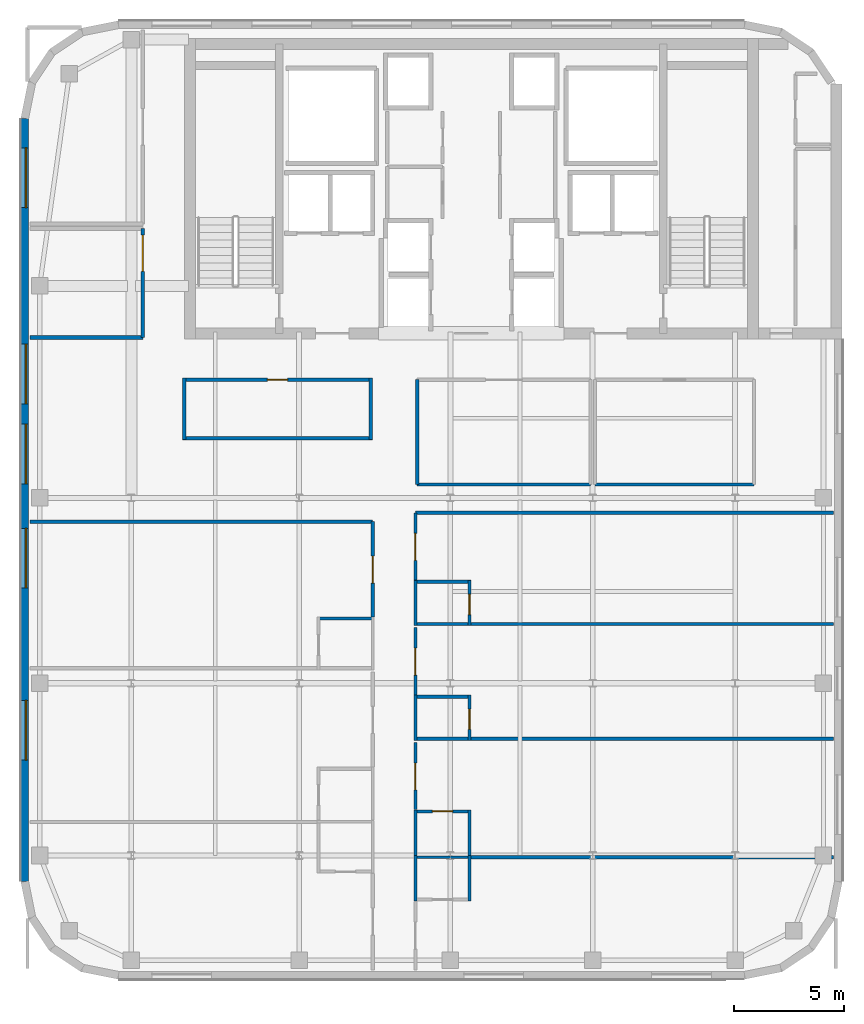
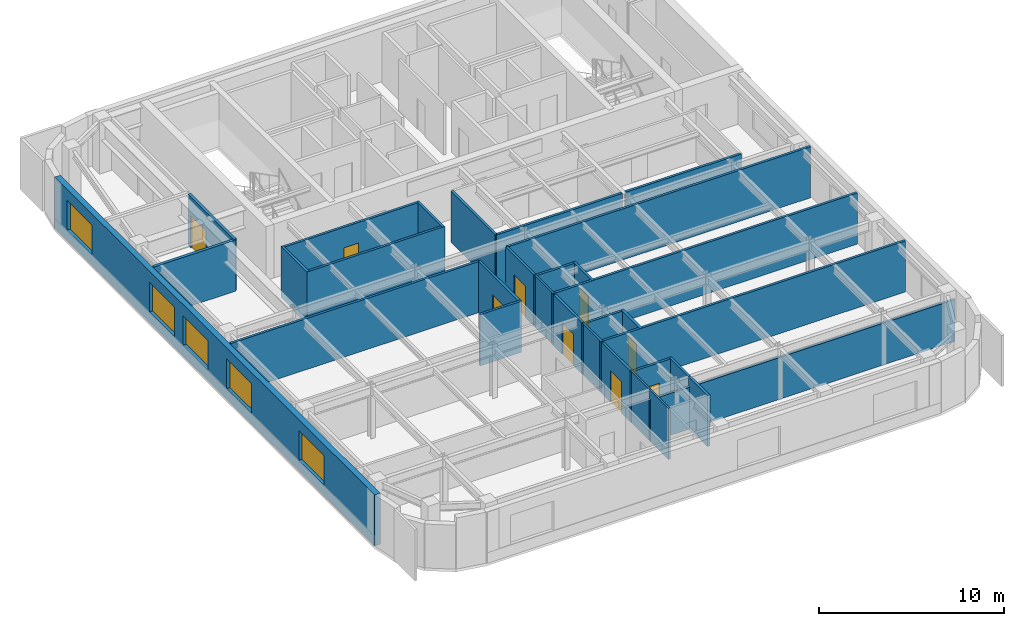
# One storey, part 4 of 11: 32 walls, 9 doors, 5 windows, 14 openings.
"""IFC4 building model written with IfcOpenShell, lengths in metres."""

import ifcopenshell
import ifcopenshell.guid

model = None  # the IFC model being written
_history = None  # IfcOwnerHistory: only IFC2X3 demands one
_inside = {}  # id of a spatial element -> (the spatial element, [elements in it])
_under = {}  # id of a project, library or spatial element -> (it, [spatial elements below it])
_declared = {}  # id of a project -> (the project, [libraries it declares])
_typed = {}  # id of a type object -> (the type object, [elements of that type])
_made_of = {}  # id of a material, layer set ... -> (it, [elements and type objects made of it])


def new_model(schema):
    """Start an empty IFC model of exactly this schema.

    Asked for "IFC4X3", IfcOpenShell would pick the latest addendum, in which some entities
    have other attributes; the version numbers below select the first issue.
    IFC2X3 requires an IfcOwnerHistory on every rooted entity: one is made here for all.
    """
    global model, _history
    if schema == "IFC4X3":
        model = ifcopenshell.file(schema_version=(4, 3, 0, 0))
    else:
        model = ifcopenshell.file(schema=schema)
    _inside.clear()
    _under.clear()
    _declared.clear()
    _typed.clear()
    _made_of.clear()
    _history = None
    if model.schema == "IFC2X3":
        org = make("IfcOrganization", Name="unknown")
        user = make(
            "IfcPersonAndOrganization",
            ThePerson=make("IfcPerson", FamilyName="unknown"),
            TheOrganization=org,
        )
        app = make(
            "IfcApplication",
            ApplicationDeveloper=org,
            Version="unknown",
            ApplicationFullName="unknown",
            ApplicationIdentifier="unknown",
        )
        _history = make(
            "IfcOwnerHistory",
            OwningUser=user,
            OwningApplication=app,
            ChangeAction="ADDED",
            CreationDate=0,
        )
    return model


def make(cls, **values):
    """One entity of the class cls with the attributes given. An attribute that is None is left unset."""
    return model.create_entity(
        cls, **{name: value for name, value in values.items() if value is not None}
    )


def rooted(cls, **values):
    """An entity with a GlobalId (a new one), such as an element, a storey or a relation."""
    return make(cls, GlobalId=ifcopenshell.guid.new(), OwnerHistory=_history, **values)


def si_unit(unit_type, name, prefix=None):
    """IfcSIUnit, for example si_unit("LENGTHUNIT", "METRE", prefix="MILLI")."""
    return make("IfcSIUnit", UnitType=unit_type, Prefix=prefix, Name=name)


def assignment(units):
    """IfcUnitAssignment: the units of a project."""
    return None if units is None else make("IfcUnitAssignment", Units=units)


def point(xyz):
    """IfcCartesianPoint."""
    return None if xyz is None else make("IfcCartesianPoint", Coordinates=xyz)


def direction(xyz):
    """IfcDirection."""
    return None if xyz is None else make("IfcDirection", DirectionRatios=xyz)


def frame(location, z_axis=None, x_axis=None):
    """IfcAxis2Placement3D, a coordinate frame: its origin and axes. An axis left out is left unset."""
    return make(
        "IfcAxis2Placement3D",
        Location=point(location),
        Axis=direction(z_axis),
        RefDirection=direction(x_axis),
    )


def frame_2d(location, x_axis=None):
    """IfcAxis2Placement2D, a coordinate frame in the plane: its origin and x axis."""
    return make(
        "IfcAxis2Placement2D", Location=point(location), RefDirection=direction(x_axis)
    )


def origin():
    """The frame at (0, 0, 0) with its axes left unset."""
    return frame((0.0, 0.0, 0.0))


def place(relative_to, where):
    """IfcLocalPlacement: puts the frame where relative to a parent placement (None: the world)."""
    return make(
        "IfcLocalPlacement", PlacementRelTo=relative_to, RelativePlacement=where
    )


def context(
    kind, dimensions, precision=None, world=None, true_north=None, identifier=None
):
    """IfcGeometricRepresentationContext, for example the 3D "Model" context."""
    return make(
        "IfcGeometricRepresentationContext",
        ContextIdentifier=identifier,
        ContextType=kind,
        CoordinateSpaceDimension=dimensions,
        Precision=precision,
        WorldCoordinateSystem=world,
        TrueNorth=true_north,
    )


def subcontext(parent, identifier, kind, view, scale=None):
    """IfcGeometricRepresentationSubContext, for example "Body" below "Model"."""
    return make(
        "IfcGeometricRepresentationSubContext",
        ContextIdentifier=identifier,
        ContextType=kind,
        ParentContext=parent,
        TargetScale=scale,
        TargetView=view,
    )


def project(units=None, contexts=None):
    """IfcProject with its units and contexts."""
    return rooted(
        "IfcProject",
        Name="project",
        RepresentationContexts=contexts,
        UnitsInContext=assignment(units),
    )


def spatial(cls, under=None, at=None, **own):
    """A site, building, storey or space (cls), placed at a placement, below another one or the project."""
    s = rooted(cls, ObjectPlacement=at, **own)
    if under is not None:
        _under.setdefault(under.id(), (under, []))[1].append(s)
    return s


def profile(cls, at=None, kind="AREA", **sizes):
    """A parametric profile (cls). Its sizes go by their IFC names, for example OverallWidth=200.0."""
    return make(cls, ProfileType=kind, Position=at, **sizes)


def rectangle(**sizes):
    """IfcRectangleProfileDef."""
    return profile("IfcRectangleProfileDef", **sizes)


def extrude(swept, where, along, depth):
    """IfcExtrudedAreaSolid: the profile swept, set in the frame where, extruded along a direction by depth."""
    return make(
        "IfcExtrudedAreaSolid",
        SweptArea=swept,
        Position=where,
        ExtrudedDirection=direction(along),
        Depth=depth,
    )


def shape(context_of_items, identifier, shape_type, items):
    """IfcShapeRepresentation: the items that make up one representation, for example the "Body"."""
    return make(
        "IfcShapeRepresentation",
        ContextOfItems=context_of_items,
        RepresentationIdentifier=identifier,
        RepresentationType=shape_type,
        Items=items,
    )


def source(mapping_origin, context_of_items, identifier, shape_type, items):
    """IfcRepresentationMap: a shape defined once, which mapped items show again and again."""
    return make(
        "IfcRepresentationMap",
        MappingOrigin=mapping_origin,
        MappedRepresentation=shape(context_of_items, identifier, shape_type, items),
    )


def transform(
    local_origin,
    x_axis=None,
    y_axis=None,
    z_axis=None,
    scale=None,
    scale2=None,
    scale3=None,
    uniform=True,
):
    """IfcCartesianTransformationOperator3D, or its non-uniform kind. x_axis, y_axis, z_axis: its Axis1, 2, 3."""
    if uniform:
        return make(
            "IfcCartesianTransformationOperator3D",
            Axis1=direction(x_axis),
            Axis2=direction(y_axis),
            LocalOrigin=point(local_origin),
            Scale=scale,
            Axis3=direction(z_axis),
        )
    return make(
        "IfcCartesianTransformationOperator3DnonUniform",
        Axis1=direction(x_axis),
        Axis2=direction(y_axis),
        LocalOrigin=point(local_origin),
        Scale=scale,
        Axis3=direction(z_axis),
        Scale2=scale2,
        Scale3=scale3,
    )


def mapped(mapping_source, mapping_target):
    """IfcMappedItem: shows the shape of a source again, moved by a transform."""
    return make(
        "IfcMappedItem", MappingSource=mapping_source, MappingTarget=mapping_target
    )


def material(Name=None, Category=None):
    """IfcMaterial."""
    return make("IfcMaterial", Name=Name, Category=Category)


def layer(
    of_material, thickness, ventilated=None, Name=None, Category=None, Priority=None
):
    """IfcMaterialLayer: one layer of a wall or slab, of a material (None: an air gap)."""
    return make(
        "IfcMaterialLayer",
        Material=of_material,
        LayerThickness=thickness,
        IsVentilated=ventilated,
        Name=Name,
        Category=Category,
        Priority=Priority,
    )


def layer_set(layers, Name=None):
    """IfcMaterialLayerSet."""
    return make("IfcMaterialLayerSet", MaterialLayers=layers, LayerSetName=Name)


def made_of(thing, what):
    """Note that an element or type object is made of a material, layer set ...; save() writes the relation."""
    if what is not None:
        _made_of.setdefault(what.id(), (what, []))[1].append(thing)
    return thing


def type_object(cls, material=None, **own):
    """A type object (cls), such as IfcWallType, which elements share."""
    return made_of(rooted(cls, **own), material)


def type_shapes(of_type, sources):
    """Give a type object the sources (RepresentationMaps) that its elements show as mapped items."""
    of_type.RepresentationMaps = sources


def element(
    cls,
    number,
    at=None,
    inside=None,
    cuts=None,
    type_object=None,
    material=None,
    context=None,
    identifier="Body",
    shape_type=None,
    held_by="IfcProductDefinitionShape",
    body=None,
    shapes=None,
    **own,
):
    """One element of the class cls, such as IfcWall. Its Tag is "e" and its number.

    at: its placement. inside: the storey or other place that contains it. cuts: it is an
    opening in that element (IfcRelVoidsElement). A single representation is given by context,
    identifier, shape_type and body (its items); several are given by shapes. held_by: the class
    of the entity that holds the representations. save() writes the other relations.
    """
    e = rooted(cls, Tag="e%d" % number, ObjectPlacement=at, **own)
    if body is not None:
        shapes = [shape(context, identifier, shape_type, body)]
    if shapes is not None:
        e.Representation = make(held_by, Representations=shapes)
    if inside is not None:
        _inside.setdefault(inside.id(), (inside, []))[1].append(e)
    if cuts is not None:
        rooted(
            "IfcRelVoidsElement", RelatingBuildingElement=cuts, RelatedOpeningElement=e
        )
    if type_object is not None:
        _typed.setdefault(type_object.id(), (type_object, []))[1].append(e)
    return made_of(e, material)


def fill(opening, filler):
    """IfcRelFillsElement: the door or window that sits in an opening."""
    return rooted(
        "IfcRelFillsElement",
        RelatingOpeningElement=opening,
        RelatedBuildingElement=filler,
    )


def aggregate(whole, parts):
    """IfcRelAggregates: a whole, such as a stair, and the parts it consists of."""
    return rooted("IfcRelAggregates", RelatingObject=whole, RelatedObjects=parts)


def save(model, path):
    """Write the relations noted so far, then the file.

    IfcRelAggregates (storeys below a building ...), IfcRelContainedInSpatialStructure (elements
    in a storey), IfcRelDefinesByType, IfcRelAssociatesMaterial and IfcRelDeclares: one each for
    every whole, place, type object, material and project.
    """
    for whole, parts in _under.values():
        aggregate(whole, parts)
    for where, things in _inside.values():
        rooted(
            "IfcRelContainedInSpatialStructure",
            RelatedElements=things,
            RelatingStructure=where,
        )
    for kind, things in _typed.values():
        rooted("IfcRelDefinesByType", RelatedObjects=things, RelatingType=kind)
    for what, things in _made_of.values():
        rooted("IfcRelAssociatesMaterial", RelatedObjects=things, RelatingMaterial=what)
    for by, libraries in _declared.values():
        rooted("IfcRelDeclares", RelatingContext=by, RelatedDefinitions=libraries)
    model.write(path)


model = new_model("IFC4")

# Units and contexts
model_context = context("Model", 3, precision=1e-05, world=origin(), true_north=direction((0.0, 1.0)))
body_context = subcontext(model_context, "Body", "Model", "MODEL_VIEW")
ifc_project = project(units=[si_unit("LENGTHUNIT", "METRE"), si_unit("AREAUNIT", "SQUARE_METRE"), si_unit("VOLUMEUNIT", "CUBIC_METRE"), si_unit("PLANEANGLEUNIT", "RADIAN"), si_unit("MASSUNIT", "GRAM", prefix="KILO")], contexts=[model_context])

# Site, building, storey
site_placement = place(None, origin())
site = spatial("IfcSite", under=ifc_project, at=site_placement, CompositionType="ELEMENT")
building_placement = place(site_placement, origin())
building = spatial("IfcBuilding", under=site, at=building_placement, Name="Tolvann Quenvar Hotel", CompositionType="ELEMENT")
storey_placement = place(building_placement, frame((0.0, 0.0, 234.550048828125)))
storey = spatial("IfcBuildingStorey", under=building, at=storey_placement, Name="L62", CompositionType="ELEMENT", Elevation=234.550048828125)

# Wall, openings, windows
ifc_material_1 = material(Name="Kiln-fired red and buff architectural clay brickwork and terracotta masonry", Category="masonry")
ifc_layer_1 = layer(ifc_material_1, 0.35009765625)
ifc_layer_set_1 = layer_set([ifc_layer_1], Name="Kiln-fired red and buff architectural clay brickwork and terracotta masonry")
wall_type_1 = type_object("IfcWallType", Name="WALL_EXT_BRICK_350", PredefinedType="SOLIDWALL", material=ifc_layer_set_1)
wall_1_placement = place(storey_placement, frame((2.77490234375, 41.582763671875, 0.0), z_axis=(0.0, 0.0, 1.0), x_axis=(0.0, -1.0, 0.0)))
wall_1 = element("IfcWall", 1, at=wall_1_placement, inside=storey, type_object=wall_type_1, Name="Exterior Chicago Brick Wall L62-E19", PredefinedType="SOLIDWALL", context=body_context, shape_type="SweptSolid", body=[
    extrude(rectangle(XDim=34.565673828125, YDim=0.35009765625, at=frame_2d((17.28271484375, 0.0))), origin(), (0.0, 0.0, 1.0), 3.369873046875),
])
opening_1_placement = place(wall_1_placement, frame((1.3349609375, 0.0, 0.679931640625)))
opening_1 = element("IfcOpeningElement", 2, at=opening_1_placement, cuts=wall_1, Name="Opening W-04", PredefinedType="OPENING", context=body_context, shape_type="SweptSolid", body=[
    extrude(rectangle(XDim=2.699951171875, YDim=1.949951171875, at=frame_2d((1.35009765625, 0.97509765625))), frame((0.0, 0.18505859375, 0.0), z_axis=(0.0, -1.0, 0.0), x_axis=(1.0, 0.0, 0.0)), (0.0, 0.0, 1.0), 0.3701171875),
])
opening_2_placement = place(wall_1_placement, frame((10.22705078125, 0.0, 0.679931640625)))
opening_2 = element("IfcOpeningElement", 3, at=opening_2_placement, cuts=wall_1, Name="Opening W-04", PredefinedType="OPENING", context=body_context, shape_type="SweptSolid", body=[
    extrude(rectangle(XDim=2.699951171875, YDim=1.949951171875, at=frame_2d((1.35009765625, 0.97509765625))), frame((0.0, 0.18505859375, 0.0), z_axis=(0.0, -1.0, 0.0), x_axis=(1.0, 0.0, 0.0)), (0.0, 0.0, 1.0), 0.3701171875),
])
opening_3_placement = place(wall_1_placement, frame((13.846923828125, 0.0, 0.679931640625)))
opening_3 = element("IfcOpeningElement", 4, at=opening_3_placement, cuts=wall_1, Name="Opening W-04", PredefinedType="OPENING", context=body_context, shape_type="SweptSolid", body=[
    extrude(rectangle(XDim=2.699951171875, YDim=1.949951171875, at=frame_2d((1.35009765625, 0.97509765625))), frame((0.0, 0.18505859375, 0.0), z_axis=(0.0, -1.0, 0.0), x_axis=(1.0, 0.0, 0.0)), (0.0, 0.0, 1.0), 0.3701171875),
])
opening_4_placement = place(wall_1_placement, frame((18.568115234375, 0.0, 0.679931640625)))
opening_4 = element("IfcOpeningElement", 5, at=opening_4_placement, cuts=wall_1, Name="Opening W-04", PredefinedType="OPENING", context=body_context, shape_type="SweptSolid", body=[
    extrude(rectangle(XDim=2.699951171875, YDim=1.949951171875, at=frame_2d((1.35009765625, 0.97509765625))), frame((0.0, 0.18505859375, 0.0), z_axis=(0.0, -1.0, 0.0), x_axis=(1.0, 0.0, 0.0)), (0.0, 0.0, 1.0), 0.3701171875),
])
opening_5_placement = place(wall_1_placement, frame((26.360107421875, 0.0, 0.679931640625)))
opening_5 = element("IfcOpeningElement", 6, at=opening_5_placement, cuts=wall_1, Name="Opening W-04", PredefinedType="OPENING", context=body_context, shape_type="SweptSolid", body=[
    extrude(rectangle(XDim=2.699951171875, YDim=1.949951171875, at=frame_2d((1.35009765625, 0.97509765625))), frame((0.0, 0.18505859375, 0.0), z_axis=(0.0, -1.0, 0.0), x_axis=(1.0, 0.0, 0.0)), (0.0, 0.0, 1.0), 0.3701171875),
])
ifc_material_2 = material(Name="Thermally broken bronze-anodised aluminium frame with double low-E glazing", Category="aluminium")
window_type = type_object("IfcWindowType", Name="WIN_STE_2700x2150", PartitioningType="TRIPLE_PANEL_HORIZONTAL", PredefinedType="WINDOW", material=ifc_material_2)
shared_shape_1 = source(origin(), body_context, "Body", "SweptSolid", [
    extrude(rectangle(XDim=2.699951171875, YDim=1.949951171875, at=frame_2d((1.35009765625, 0.97509765625))), frame((0.0, 0.090087890625, 0.0), z_axis=(0.0, -1.0, 0.0), x_axis=(1.0, 0.0, 0.0)), (0.0, 0.0, 1.0), 0.06005859375),
])
type_shapes(window_type, [shared_shape_1])
window_1_placement = place(opening_1_placement, origin())
window_1 = element("IfcWindow", 7, at=window_1_placement, inside=storey, type_object=window_type, Name="Chicago Window W-04 (EW-L62-E19-W01)", OverallHeight=1.949951171875, OverallWidth=2.699951171875, PartitioningType="TRIPLE_PANEL_HORIZONTAL", PredefinedType="WINDOW", context=body_context, shape_type="MappedRepresentation", body=[
    mapped(shared_shape_1, transform((0.0, 0.0, 0.0), x_axis=(1.0, 0.0, 0.0), y_axis=(0.0, 1.0, 0.0), z_axis=(0.0, 0.0, 1.0), scale=1.0)),
])
fill(opening_1, window_1)
window_2_placement = place(opening_2_placement, origin())
window_2 = element("IfcWindow", 8, at=window_2_placement, inside=storey, type_object=window_type, Name="Chicago Window W-04 (EW-L62-E19-W02)", OverallHeight=1.949951171875, OverallWidth=2.699951171875, PartitioningType="TRIPLE_PANEL_HORIZONTAL", PredefinedType="WINDOW", context=body_context, shape_type="MappedRepresentation", body=[
    mapped(shared_shape_1, transform((0.0, 0.0, 0.0), x_axis=(1.0, 0.0, 0.0), y_axis=(0.0, 1.0, 0.0), z_axis=(0.0, 0.0, 1.0), scale=1.0)),
])
fill(opening_2, window_2)
window_3_placement = place(opening_3_placement, origin())
window_3 = element("IfcWindow", 9, at=window_3_placement, inside=storey, type_object=window_type, Name="Chicago Window W-04 (EW-L62-E19-W03)", OverallHeight=1.949951171875, OverallWidth=2.699951171875, PartitioningType="TRIPLE_PANEL_HORIZONTAL", PredefinedType="WINDOW", context=body_context, shape_type="MappedRepresentation", body=[
    mapped(shared_shape_1, transform((0.0, 0.0, 0.0), x_axis=(1.0, 0.0, 0.0), y_axis=(0.0, 1.0, 0.0), z_axis=(0.0, 0.0, 1.0), scale=1.0)),
])
fill(opening_3, window_3)
window_4_placement = place(opening_4_placement, origin())
window_4 = element("IfcWindow", 10, at=window_4_placement, inside=storey, type_object=window_type, Name="Chicago Window W-04 (EW-L62-E19-W04)", OverallHeight=1.949951171875, OverallWidth=2.699951171875, PartitioningType="TRIPLE_PANEL_HORIZONTAL", PredefinedType="WINDOW", context=body_context, shape_type="MappedRepresentation", body=[
    mapped(shared_shape_1, transform((0.0, 0.0, 0.0), x_axis=(1.0, 0.0, 0.0), y_axis=(0.0, 1.0, 0.0), z_axis=(0.0, 0.0, 1.0), scale=1.0)),
])
fill(opening_4, window_4)
window_5_placement = place(opening_5_placement, origin())
window_5 = element("IfcWindow", 11, at=window_5_placement, inside=storey, type_object=window_type, Name="Chicago Window W-04 (EW-L62-E19-W05)", OverallHeight=1.949951171875, OverallWidth=2.699951171875, PartitioningType="TRIPLE_PANEL_HORIZONTAL", PredefinedType="WINDOW", context=body_context, shape_type="MappedRepresentation", body=[
    mapped(shared_shape_1, transform((0.0, 0.0, 0.0), x_axis=(1.0, 0.0, 0.0), y_axis=(0.0, 1.0, 0.0), z_axis=(0.0, 0.0, 1.0), scale=1.0)),
])
fill(opening_5, window_5)

# Wall
ifc_material_3 = material(Name="Acoustic twin-stud fire-rated gypsum plasterboard partition")
ifc_layer_2 = layer(ifc_material_3, 0.179931640625)
ifc_layer_set_2 = layer_set([ifc_layer_2], Name="Acoustic twin-stud fire-rated gypsum plasterboard partition")
wall_type_2 = type_object("IfcWallType", Name="WALL_PART_ACOUSTIC_180", PredefinedType="PARTITIONING", material=ifc_layer_set_2)
wall_2_placement = place(storey_placement, frame((3.0048828125, 31.64990234375, 0.0), z_axis=(0.0, 0.0, 1.0), x_axis=(1.0, 0.0, 0.0)))
element("IfcWall", 12, at=wall_2_placement, inside=storey, type_object=wall_type_2, Name="Interior Partition PT-SPC-L62-SAL-S", PredefinedType="PARTITIONING", context=body_context, shape_type="SweptSolid", body=[
    extrude(rectangle(XDim=5.115234375, YDim=0.179931640625, at=frame_2d((2.5576171875, 0.0))), origin(), (0.0, 0.0, 1.0), 3.369873046875),
])

# Wall, opening, door
wall_3_placement = place(storey_placement, frame((8.1201171875, 31.64990234375, 0.0), z_axis=(0.0, 0.0, 1.0), x_axis=(0.0, 1.0, 0.0)))
wall_3 = element("IfcWall", 13, at=wall_3_placement, inside=storey, type_object=wall_type_2, Name="Interior Partition PT-SPC-L62-SAL-E", PredefinedType="PARTITIONING", context=body_context, shape_type="SweptSolid", body=[
    extrude(rectangle(XDim=4.9501953125, YDim=0.179931640625, at=frame_2d((2.47509765625, 0.0))), origin(), (0.0, 0.0, 1.0), 3.369873046875),
])
opening_6_placement = place(wall_3_placement, frame((3.0, 0.0, 0.0)))
opening_6 = element("IfcOpeningElement", 14, at=opening_6_placement, cuts=wall_3, Name="Opening AD-01", PredefinedType="OPENING", context=body_context, shape_type="SweptSolid", body=[
    extrude(rectangle(XDim=1.64990234375, YDim=2.14990234375, at=frame_2d((0.824951171875, 1.074951171875))), frame((0.0, 0.10009765625, 0.0), z_axis=(0.0, -1.0, 0.0), x_axis=(1.0, 0.0, 0.0)), (0.0, 0.0, 1.0), 0.199951171875),
])
ifc_material_4 = material(Name="Solid-core American oak acoustic fire door leaf in steel frame", Category="steel")
door_type_1 = type_object("IfcDoorType", Name="DOOR_SALON_1650", OperationType="NOTDEFINED", PredefinedType="DOOR", material=ifc_material_4)
shared_shape_2 = source(origin(), body_context, "Body", "SweptSolid", [
    extrude(rectangle(XDim=1.64990234375, YDim=2.14990234375, at=frame_2d((0.824951171875, 1.074951171875))), frame((0.0, 0.02490234375, 0.0), z_axis=(0.0, -1.0, 0.0), x_axis=(1.0, 0.0, 0.0)), (0.0, 0.0, 1.0), 0.050048828125),
])
type_shapes(door_type_1, [shared_shape_2])
door_1_placement = place(opening_6_placement, origin())
door_1 = element("IfcDoor", 15, at=door_1_placement, inside=storey, type_object=door_type_1, Name="Interior Door DOOR-SPC-L62-SAL", OperationType="DOUBLE_DOOR_SINGLE_SWING", OverallHeight=2.14990234375, OverallWidth=1.64990234375, PredefinedType="DOOR", context=body_context, shape_type="MappedRepresentation", body=[
    mapped(shared_shape_2, transform((0.0, 0.0, 0.0), x_axis=(1.0, 0.0, 0.0), y_axis=(0.0, 1.0, 0.0), z_axis=(0.0, 0.0, 1.0), scale=1.0)),
])
fill(opening_6, door_1)

# Walls
ifc_material_5 = material(Name="Moisture-resistant acoustic plumbing wall assembly")
ifc_layer_3 = layer(ifc_material_5, 0.1201171875)
ifc_layer_set_3 = layer_set([ifc_layer_3], Name="Moisture-resistant acoustic plumbing wall assembly")
wall_type_3 = type_object("IfcWallType", Name="WALL_PART_BATH_120", PredefinedType="PLUMBINGWALL", material=ifc_layer_set_3)
wall_4_placement = place(storey_placement, frame((20.39990234375, 8.1201171875, 0.0), z_axis=(0.0, 0.0, 1.0), x_axis=(1.0, 0.0, 0.0)))
element("IfcWall", 16, at=wall_4_placement, inside=storey, type_object=wall_type_3, Name="Non-Rated Plumbing Partition PT-SPC-L62-ENS-EO01-N", PredefinedType="PLUMBINGWALL", context=body_context, shape_type="SweptSolid", body=[
    extrude(rectangle(XDim=2.590087890625, YDim=0.1201171875, at=frame_2d((1.294921875, 0.0))), origin(), (0.0, 0.0, 1.0), 2.758056640625),
])
for number, where, z_axis, x_axis, name in (
    (17, (20.469970703125, 6.135009765625, 0.0), (0.0, 0.0, 1.0), (0.0, 1.0, 0.0), "Non-Rated Plumbing Partition PT-SPC-L62-ENS-EO01-W"),
    (18, (20.469970703125, 8.2099609375, 0.0), (0.0, 0.0, 1.0), (0.0, 1.0, 0.0), "Non-Rated Plumbing Partition PT-SPC-L62-ENS-EO02-W"),
):
    element("IfcWall", number, at=place(storey_placement, frame(where, z_axis=z_axis, x_axis=x_axis)), inside=storey, type_object=wall_type_3, Name=name, PredefinedType="PLUMBINGWALL", context=body_context, shape_type="SweptSolid", body=[
        extrude(rectangle(XDim=2.054931640625, YDim=0.1201171875, at=frame_2d((1.02734375, 0.0))), origin(), (0.0, 0.0, 1.0), 3.369873046875),
    ])
wall_5_placement = place(storey_placement, frame((20.469970703125, 13.409912109375, 0.0), z_axis=(0.0, 0.0, 1.0), x_axis=(0.0, 1.0, 0.0)))
element("IfcWall", 19, at=wall_5_placement, inside=storey, type_object=wall_type_3, Name="Non-Rated Plumbing Partition PT-SPC-L62-ENS-EO03-W", PredefinedType="PLUMBINGWALL", context=body_context, shape_type="SweptSolid", body=[
    extrude(rectangle(XDim=2.05517578125, YDim=0.1201171875, at=frame_2d((1.027587890625, 0.0))), origin(), (0.0, 0.0, 1.0), 3.369873046875),
])
wall_6_placement = place(storey_placement, frame((20.469970703125, 18.610107421875, 0.0), z_axis=(0.0, 0.0, 1.0), x_axis=(0.0, 1.0, 0.0)))
element("IfcWall", 20, at=wall_6_placement, inside=storey, type_object=wall_type_3, Name="Non-Rated Plumbing Partition PT-SPC-L62-ENS-EO04-W", PredefinedType="PLUMBINGWALL", context=body_context, shape_type="SweptSolid", body=[
    extrude(rectangle(XDim=2.054931640625, YDim=0.1201171875, at=frame_2d((1.02734375, 0.0))), origin(), (0.0, 0.0, 1.0), 3.369873046875),
])
ifc_layer_4 = layer(ifc_material_3, 0.14990234375)
ifc_layer_set_4 = layer_set([ifc_layer_4], Name="Acoustic twin-stud fire-rated gypsum plasterboard partition")
wall_type_4 = type_object("IfcWallType", Name="WALL_PART_SUITE_150", PredefinedType="PARTITIONING", material=ifc_layer_set_4)
wall_7_placement = place(storey_placement, frame((16.010009765625, 18.929931640625, 0.0), z_axis=(0.0, 0.0, 1.0), x_axis=(1.0, 0.0, 0.0)))
element("IfcWall", 21, at=wall_7_placement, inside=storey, type_object=wall_type_4, Name="Interior Partition PT-SPC-L62-ENS-WO03-N", PredefinedType="PARTITIONING", context=body_context, shape_type="SweptSolid", body=[
    extrude(rectangle(XDim=2.590087890625, YDim=0.14990234375, at=frame_2d((1.294921875, 0.0))), origin(), (0.0, 0.0, 1.0), 3.369873046875),
])
for number, where, z_axis, x_axis, name in (
    (22, (22.919921875, 6.135009765625, 0.0), (0.0, 0.0, 1.0), (0.0, 1.0, 0.0), "Interior Partition PT-SPC-L62-ENS-EO01-ENT"),
    (23, (22.919921875, 8.2099609375, 0.0), (0.0, 0.0, 1.0), (0.0, 1.0, 0.0), "Interior Partition PT-SPC-L62-ENS-EO02-ENT"),
):
    element("IfcWall", number, at=place(storey_placement, frame(where, z_axis=z_axis, x_axis=x_axis)), inside=storey, type_object=wall_type_4, Name=name, PredefinedType="PARTITIONING", context=body_context, shape_type="SweptSolid", body=[
        extrude(rectangle(XDim=2.054931640625, YDim=0.14990234375, at=frame_2d((1.02734375, 0.0))), origin(), (0.0, 0.0, 1.0), 3.369873046875),
    ])

# Wall, opening, door
wall_8_placement = place(storey_placement, frame((20.39990234375, 10.195068359375, 0.0), z_axis=(0.0, 0.0, 1.0), x_axis=(1.0, 0.0, 0.0)))
wall_8 = element("IfcWall", 24, at=wall_8_placement, inside=storey, type_object=wall_type_4, Name="Interior Partition PT-SPC-L62-ENS-EO02-N", PredefinedType="PARTITIONING", context=body_context, shape_type="SweptSolid", body=[
    extrude(rectangle(XDim=2.590087890625, YDim=0.14990234375, at=frame_2d((1.294921875, 0.0))), origin(), (0.0, 0.0, 1.0), 3.369873046875),
])
opening_7_placement = place(wall_8_placement, frame((0.8349609375, 0.0, 0.0)))
opening_7 = element("IfcOpeningElement", 25, at=opening_7_placement, cuts=wall_8, Name="Opening WD-01", PredefinedType="OPENING", context=body_context, shape_type="SweptSolid", body=[
    extrude(rectangle(XDim=0.919921875, YDim=2.010009765625, at=frame_2d((0.4599609375, 1.0048828125))), frame((0.0, 0.0849609375, 0.0), z_axis=(0.0, -1.0, 0.0), x_axis=(1.0, 0.0, 0.0)), (0.0, 0.0, 1.0), 0.169921875),
])
door_type_2 = type_object("IfcDoorType", Name="DOOR_WC_920", OperationType="NOTDEFINED", PredefinedType="DOOR", material=ifc_material_4)
shared_shape_3 = source(origin(), body_context, "Body", "SweptSolid", [
    extrude(rectangle(XDim=0.919921875, YDim=2.010009765625, at=frame_2d((0.4599609375, 1.0048828125))), frame((0.0, 0.02490234375, 0.0), z_axis=(0.0, -1.0, 0.0), x_axis=(1.0, 0.0, 0.0)), (0.0, 0.0, 1.0), 0.050048828125),
])
type_shapes(door_type_2, [shared_shape_3])
door_2_placement = place(opening_7_placement, origin())
door_2 = element("IfcDoor", 26, at=door_2_placement, inside=storey, type_object=door_type_2, Name="Interior Door DOOR-SPC-L62-ENS-EO02", OperationType="SINGLE_SWING_LEFT", OverallHeight=2.010009765625, OverallWidth=0.919921875, PredefinedType="DOOR", context=body_context, shape_type="MappedRepresentation", body=[
    mapped(shared_shape_3, transform((0.0, 0.0, 0.0), x_axis=(1.0, 0.0, 0.0), y_axis=(0.0, 1.0, 0.0), z_axis=(0.0, 0.0, 1.0), scale=1.0)),
])
fill(opening_7, door_2)

wall_9_placement = place(storey_placement, frame((22.919921875, 13.409912109375, 0.0), z_axis=(0.0, 0.0, 1.0), x_axis=(0.0, 1.0, 0.0)))
wall_9 = element("IfcWall", 27, at=wall_9_placement, inside=storey, type_object=wall_type_4, Name="Interior Partition PT-SPC-L62-ENS-EO03-ENT", PredefinedType="PARTITIONING", context=body_context, shape_type="SweptSolid", body=[
    extrude(rectangle(XDim=2.05517578125, YDim=0.14990234375, at=frame_2d((1.027587890625, 0.0))), origin(), (0.0, 0.0, 1.0), 3.369873046875),
])
opening_8_placement = place(wall_9_placement, frame((0.49755859375, 0.0, 0.0)))
opening_8 = element("IfcOpeningElement", 28, at=opening_8_placement, cuts=wall_9, Name="Opening WD-01", PredefinedType="OPENING", context=body_context, shape_type="SweptSolid", body=[
    extrude(rectangle(XDim=0.919921875, YDim=2.010009765625, at=frame_2d((0.4599609375, 1.0048828125))), frame((0.0, 0.0849609375, 0.0), z_axis=(0.0, -1.0, 0.0), x_axis=(1.0, 0.0, 0.0)), (0.0, 0.0, 1.0), 0.169921875),
])
door_3_placement = place(opening_8_placement, origin())
door_3 = element("IfcDoor", 29, at=door_3_placement, inside=storey, type_object=door_type_2, Name="Interior Door DOOR-SPC-L62-ENS-EO03", OperationType="SINGLE_SWING_RIGHT", OverallHeight=2.010009765625, OverallWidth=0.919921875, PredefinedType="DOOR", context=body_context, shape_type="MappedRepresentation", body=[
    mapped(shared_shape_3, transform((0.0, 0.0, 0.0), x_axis=(1.0, 0.0, 0.0), y_axis=(0.0, 1.0, 0.0), z_axis=(0.0, 0.0, 1.0), scale=1.0)),
])
fill(opening_8, door_3)

# Walls
wall_10_placement = place(storey_placement, frame((20.39990234375, 13.47998046875, 0.0), z_axis=(0.0, 0.0, 1.0), x_axis=(1.0, 0.0, 0.0)))
element("IfcWall", 30, at=wall_10_placement, inside=storey, type_object=wall_type_4, Name="Interior Partition PT-SPC-L62-ENS-EO03-S", PredefinedType="PARTITIONING", context=body_context, shape_type="SweptSolid", body=[
    extrude(rectangle(XDim=18.9951171875, YDim=0.14990234375, at=frame_2d((9.49755859375, 0.0))), origin(), (0.0, 0.0, 1.0), 3.369873046875),
])
wall_11_placement = place(storey_placement, frame((20.39990234375, 15.39501953125, 0.0), z_axis=(0.0, 0.0, 1.0), x_axis=(1.0, 0.0, 0.0)))
element("IfcWall", 31, at=wall_11_placement, inside=storey, type_object=wall_type_4, Name="Interior Partition PT-SPC-L62-ENS-EO03-N", PredefinedType="PARTITIONING", context=body_context, shape_type="SweptSolid", body=[
    extrude(rectangle(XDim=2.590087890625, YDim=0.14990234375, at=frame_2d((1.294921875, 0.0))), origin(), (0.0, 0.0, 1.0), 3.369873046875),
])

# Wall, opening, door
wall_12_placement = place(storey_placement, frame((22.919921875, 18.610107421875, 0.0), z_axis=(0.0, 0.0, 1.0), x_axis=(0.0, 1.0, 0.0)))
wall_12 = element("IfcWall", 32, at=wall_12_placement, inside=storey, type_object=wall_type_4, Name="Interior Partition PT-SPC-L62-ENS-EO04-ENT", PredefinedType="PARTITIONING", context=body_context, shape_type="SweptSolid", body=[
    extrude(rectangle(XDim=2.054931640625, YDim=0.14990234375, at=frame_2d((1.02734375, 0.0))), origin(), (0.0, 0.0, 1.0), 3.369873046875),
])
opening_9_placement = place(wall_12_placement, frame((0.49755859375, 0.0, 0.0)))
opening_9 = element("IfcOpeningElement", 33, at=opening_9_placement, cuts=wall_12, Name="Opening WD-01", PredefinedType="OPENING", context=body_context, shape_type="SweptSolid", body=[
    extrude(rectangle(XDim=0.919921875, YDim=2.010009765625, at=frame_2d((0.4599609375, 1.0048828125))), frame((0.0, 0.0849609375, 0.0), z_axis=(0.0, -1.0, 0.0), x_axis=(1.0, 0.0, 0.0)), (0.0, 0.0, 1.0), 0.169921875),
])
door_4_placement = place(opening_9_placement, origin())
door_4 = element("IfcDoor", 34, at=door_4_placement, inside=storey, type_object=door_type_2, Name="Interior Door DOOR-SPC-L62-ENS-EO04", OperationType="SINGLE_SWING_LEFT", OverallHeight=2.010009765625, OverallWidth=0.919921875, PredefinedType="DOOR", context=body_context, shape_type="MappedRepresentation", body=[
    mapped(shared_shape_3, transform((0.0, 0.0, 0.0), x_axis=(1.0, 0.0, 0.0), y_axis=(0.0, 1.0, 0.0), z_axis=(0.0, 0.0, 1.0), scale=1.0)),
])
fill(opening_9, door_4)

# Walls
wall_13_placement = place(storey_placement, frame((20.39990234375, 18.679931640625, 0.0), z_axis=(0.0, 0.0, 1.0), x_axis=(1.0, 0.0, 0.0)))
element("IfcWall", 35, at=wall_13_placement, inside=storey, type_object=wall_type_4, Name="Interior Partition PT-SPC-L62-ENS-EO04-S", PredefinedType="PARTITIONING", context=body_context, shape_type="SweptSolid", body=[
    extrude(rectangle(XDim=18.9951171875, YDim=0.14990234375, at=frame_2d((9.49755859375, 0.0))), origin(), (0.0, 0.0, 1.0), 3.369873046875),
])
wall_14_placement = place(storey_placement, frame((20.39990234375, 20.594970703125, 0.0), z_axis=(0.0, 0.0, 1.0), x_axis=(1.0, 0.0, 0.0)))
element("IfcWall", 36, at=wall_14_placement, inside=storey, type_object=wall_type_4, Name="Interior Partition PT-SPC-L62-ENS-EO04-N", PredefinedType="PARTITIONING", context=body_context, shape_type="SweptSolid", body=[
    extrude(rectangle(XDim=2.590087890625, YDim=0.14990234375, at=frame_2d((1.294921875, 0.0))), origin(), (0.0, 0.0, 1.0), 3.369873046875),
])

# Wall, opening, door
wall_15_placement = place(storey_placement, frame((18.530029296875, 19.010009765625, 0.0), z_axis=(0.0, 0.0, 1.0), x_axis=(0.0, 1.0, 0.0)))
wall_15 = element("IfcWall", 37, at=wall_15_placement, inside=storey, type_object=wall_type_4, Name="Interior Partition PT-SPC-L62-RM-WO03-ENT", PredefinedType="PARTITIONING", context=body_context, shape_type="SweptSolid", body=[
    extrude(rectangle(XDim=4.31005859375, YDim=0.14990234375, at=frame_2d((2.155029296875, 0.0))), origin(), (0.0, 0.0, 1.0), 3.369873046875),
])
opening_10_placement = place(wall_15_placement, frame((1.52490234375, 0.0, 0.0)))
opening_10 = element("IfcOpeningElement", 38, at=opening_10_placement, cuts=wall_15, Name="Opening SD-02", PredefinedType="OPENING", context=body_context, shape_type="SweptSolid", body=[
    extrude(rectangle(XDim=1.219970703125, YDim=2.080078125, at=frame_2d((0.60986328125, 1.0400390625))), frame((0.0, 0.0849609375, 0.0), z_axis=(0.0, -1.0, 0.0), x_axis=(1.0, 0.0, 0.0)), (0.0, 0.0, 1.0), 0.169921875),
])
door_type_3 = type_object("IfcDoorType", Name="DOOR_VIP_1220", OperationType="NOTDEFINED", PredefinedType="DOOR", material=ifc_material_4)
shared_shape_4 = source(origin(), body_context, "Body", "SweptSolid", [
    extrude(rectangle(XDim=1.219970703125, YDim=2.080078125, at=frame_2d((0.60986328125, 1.0400390625))), frame((0.0, 0.02490234375, 0.0), z_axis=(0.0, -1.0, 0.0), x_axis=(1.0, 0.0, 0.0)), (0.0, 0.0, 1.0), 0.050048828125),
])
type_shapes(door_type_3, [shared_shape_4])
door_5_placement = place(opening_10_placement, origin())
door_5 = element("IfcDoor", 39, at=door_5_placement, inside=storey, type_object=door_type_3, Name="Interior Door DOOR-SPC-L62-RM-WO03", OperationType="SINGLE_SWING_LEFT", OverallHeight=2.080078125, OverallWidth=1.219970703125, PredefinedType="DOOR", context=body_context, shape_type="MappedRepresentation", body=[
    mapped(shared_shape_4, transform((0.0, 0.0, 0.0), x_axis=(1.0, 0.0, 0.0), y_axis=(0.0, 1.0, 0.0), z_axis=(0.0, 0.0, 1.0), scale=1.0)),
])
fill(opening_10, door_5)

# Walls
wall_16_placement = place(storey_placement, frame((3.0048828125, 23.320068359375, 0.0), z_axis=(0.0, 0.0, 1.0), x_axis=(1.0, 0.0, 0.0)))
element("IfcWall", 40, at=wall_16_placement, inside=storey, type_object=wall_type_4, Name="Interior Partition PT-SPC-L62-RM-WO03-E5", PredefinedType="PARTITIONING", context=body_context, shape_type="SweptSolid", body=[
    extrude(rectangle(XDim=15.525146484375, YDim=0.14990234375, at=frame_2d((7.7626953125, 0.0))), origin(), (0.0, 0.0, 1.0), 3.369873046875),
])
wall_17_placement = place(storey_placement, frame((22.93994140625, 8.1201171875, 0.0), z_axis=(0.0, 0.0, 1.0), x_axis=(1.0, 0.0, 0.0)))
element("IfcWall", 41, at=wall_17_placement, inside=storey, type_object=wall_type_4, Name="Interior Partition PT-SPC-L62-RM-EO01-E3", PredefinedType="PARTITIONING", context=body_context, shape_type="SweptSolid", body=[
    extrude(rectangle(XDim=16.455078125, YDim=0.14990234375, at=frame_2d((8.2275390625, 0.0))), origin(), (0.0, 0.0, 1.0), 2.758056640625),
])

# Wall, opening, door
wall_18_placement = place(storey_placement, frame((20.469970703125, 10.27490234375, 0.0), z_axis=(0.0, 0.0, 1.0), x_axis=(0.0, 1.0, 0.0)))
wall_18 = element("IfcWall", 42, at=wall_18_placement, inside=storey, type_object=wall_type_4, Name="Interior Partition PT-SPC-L62-RM-EO02-ENT", PredefinedType="PARTITIONING", context=body_context, shape_type="SweptSolid", body=[
    extrude(rectangle(XDim=3.045166015625, YDim=0.14990234375, at=frame_2d((1.5224609375, 0.0))), origin(), (0.0, 0.0, 1.0), 3.369873046875),
])
opening_11_placement = place(wall_18_placement, frame((0.892578125, 0.0, 0.0)))
opening_11 = element("IfcOpeningElement", 43, at=opening_11_placement, cuts=wall_18, Name="Opening SD-02", PredefinedType="OPENING", context=body_context, shape_type="SweptSolid", body=[
    extrude(rectangle(XDim=1.219970703125, YDim=2.080078125, at=frame_2d((0.60986328125, 1.0400390625))), frame((0.0, 0.0849609375, 0.0), z_axis=(0.0, -1.0, 0.0), x_axis=(1.0, 0.0, 0.0)), (0.0, 0.0, 1.0), 0.169921875),
])
door_6_placement = place(opening_11_placement, origin())
door_6 = element("IfcDoor", 44, at=door_6_placement, inside=storey, type_object=door_type_3, Name="Interior Door DOOR-SPC-L62-RM-EO02", OperationType="SINGLE_SWING_LEFT", OverallHeight=2.080078125, OverallWidth=1.219970703125, PredefinedType="DOOR", context=body_context, shape_type="MappedRepresentation", body=[
    mapped(shared_shape_4, transform((0.0, 0.0, 0.0), x_axis=(1.0, 0.0, 0.0), y_axis=(0.0, 1.0, 0.0), z_axis=(0.0, 0.0, 1.0), scale=1.0)),
])
fill(opening_11, door_6)

wall_19_placement = place(storey_placement, frame((20.469970703125, 15.47509765625, 0.0), z_axis=(0.0, 0.0, 1.0), x_axis=(0.0, 1.0, 0.0)))
wall_19 = element("IfcWall", 45, at=wall_19_placement, inside=storey, type_object=wall_type_4, Name="Interior Partition PT-SPC-L62-RM-EO03-ENT", PredefinedType="PARTITIONING", context=body_context, shape_type="SweptSolid", body=[
    extrude(rectangle(XDim=3.044921875, YDim=0.14990234375, at=frame_2d((1.5224609375, 0.0))), origin(), (0.0, 0.0, 1.0), 3.369873046875),
])
opening_12_placement = place(wall_19_placement, frame((0.892578125, 0.0, 0.0)))
opening_12 = element("IfcOpeningElement", 46, at=opening_12_placement, cuts=wall_19, Name="Opening SD-02", PredefinedType="OPENING", context=body_context, shape_type="SweptSolid", body=[
    extrude(rectangle(XDim=1.219970703125, YDim=2.080078125, at=frame_2d((0.60986328125, 1.0400390625))), frame((0.0, 0.0849609375, 0.0), z_axis=(0.0, -1.0, 0.0), x_axis=(1.0, 0.0, 0.0)), (0.0, 0.0, 1.0), 0.169921875),
])
door_7_placement = place(opening_12_placement, origin())
door_7 = element("IfcDoor", 47, at=door_7_placement, inside=storey, type_object=door_type_3, Name="Interior Door DOOR-SPC-L62-RM-EO03", OperationType="SINGLE_SWING_RIGHT", OverallHeight=2.080078125, OverallWidth=1.219970703125, PredefinedType="DOOR", context=body_context, shape_type="MappedRepresentation", body=[
    mapped(shared_shape_4, transform((0.0, 0.0, 0.0), x_axis=(1.0, 0.0, 0.0), y_axis=(0.0, 1.0, 0.0), z_axis=(0.0, 0.0, 1.0), scale=1.0)),
])
fill(opening_12, door_7)

wall_20_placement = place(storey_placement, frame((20.469970703125, 20.675048828125, 0.0), z_axis=(0.0, 0.0, 1.0), x_axis=(0.0, 1.0, 0.0)))
wall_20 = element("IfcWall", 48, at=wall_20_placement, inside=storey, type_object=wall_type_4, Name="Interior Partition PT-SPC-L62-RM-EO04-ENT", PredefinedType="PARTITIONING", context=body_context, shape_type="SweptSolid", body=[
    extrude(rectangle(XDim=3.044921875, YDim=0.14990234375, at=frame_2d((1.5224609375, 0.0))), origin(), (0.0, 0.0, 1.0), 3.369873046875),
])
opening_13_placement = place(wall_20_placement, frame((0.892578125, 0.0, 0.0)))
opening_13 = element("IfcOpeningElement", 49, at=opening_13_placement, cuts=wall_20, Name="Opening SD-02", PredefinedType="OPENING", context=body_context, shape_type="SweptSolid", body=[
    extrude(rectangle(XDim=1.219970703125, YDim=2.080078125, at=frame_2d((0.60986328125, 1.0400390625))), frame((0.0, 0.0849609375, 0.0), z_axis=(0.0, -1.0, 0.0), x_axis=(1.0, 0.0, 0.0)), (0.0, 0.0, 1.0), 0.169921875),
])
door_8_placement = place(opening_13_placement, origin())
door_8 = element("IfcDoor", 50, at=door_8_placement, inside=storey, type_object=door_type_3, Name="Interior Door DOOR-SPC-L62-RM-EO04", OperationType="SINGLE_SWING_LEFT", OverallHeight=2.080078125, OverallWidth=1.219970703125, PredefinedType="DOOR", context=body_context, shape_type="MappedRepresentation", body=[
    mapped(shared_shape_4, transform((0.0, 0.0, 0.0), x_axis=(1.0, 0.0, 0.0), y_axis=(0.0, 1.0, 0.0), z_axis=(0.0, 0.0, 1.0), scale=1.0)),
])
fill(opening_13, door_8)

# Walls
wall_21_placement = place(storey_placement, frame((20.469970703125, 23.719970703125, 0.0), z_axis=(0.0, 0.0, 1.0), x_axis=(1.0, 0.0, 0.0)))
element("IfcWall", 51, at=wall_21_placement, inside=storey, type_object=wall_type_4, Name="Interior Partition PT-SPC-L62-RM-EO04-E5", PredefinedType="PARTITIONING", context=body_context, shape_type="SweptSolid", body=[
    extrude(rectangle(XDim=18.925048828125, YDim=0.14990234375, at=frame_2d((9.46240234375, 0.0))), origin(), (0.0, 0.0, 1.0), 3.369873046875),
])
wall_22_placement = place(storey_placement, frame((9.929931640625, 27.10009765625, 0.0), z_axis=(0.0, 0.0, 1.0), x_axis=(1.0, 0.0, 0.0)))
element("IfcWall", 52, at=wall_22_placement, inside=storey, type_object=wall_type_4, Name="Interior Partition PT-SPC-L62-WCA-S", PredefinedType="PARTITIONING", context=body_context, shape_type="SweptSolid", body=[
    extrude(rectangle(XDim=8.590087890625, YDim=0.14990234375, at=frame_2d((4.294921875, 0.0))), origin(), (0.0, 0.0, 1.0), 3.369873046875),
])

# Wall, opening, door
wall_23_placement = place(storey_placement, frame((9.929931640625, 29.75, 0.0), z_axis=(0.0, 0.0, 1.0), x_axis=(1.0, 0.0, 0.0)))
wall_23 = element("IfcWall", 53, at=wall_23_placement, inside=storey, type_object=wall_type_4, Name="Interior Partition PT-SPC-L62-WCA-N", PredefinedType="PARTITIONING", context=body_context, shape_type="SweptSolid", body=[
    extrude(rectangle(XDim=8.590087890625, YDim=0.14990234375, at=frame_2d((4.294921875, 0.0))), origin(), (0.0, 0.0, 1.0), 3.369873046875),
])
opening_14_placement = place(wall_23_placement, frame((3.8349609375, 0.0, 0.0)))
opening_14 = element("IfcOpeningElement", 54, at=opening_14_placement, cuts=wall_23, Name="Opening WD-01", PredefinedType="OPENING", context=body_context, shape_type="SweptSolid", body=[
    extrude(rectangle(XDim=0.919921875, YDim=2.010009765625, at=frame_2d((0.4599609375, 1.0048828125))), frame((0.0, 0.0849609375, 0.0), z_axis=(0.0, -1.0, 0.0), x_axis=(1.0, 0.0, 0.0)), (0.0, 0.0, 1.0), 0.169921875),
])
door_9_placement = place(opening_14_placement, origin())
door_9 = element("IfcDoor", 55, at=door_9_placement, inside=storey, type_object=door_type_2, Name="Interior Door DOOR-SPC-L62-WCA", OperationType="SINGLE_SWING_RIGHT", OverallHeight=2.010009765625, OverallWidth=0.919921875, PredefinedType="DOOR", context=body_context, shape_type="MappedRepresentation", body=[
    mapped(shared_shape_3, transform((0.0, 0.0, 0.0), x_axis=(1.0, 0.0, 0.0), y_axis=(0.0, 1.0, 0.0), z_axis=(0.0, 0.0, 1.0), scale=1.0)),
])
fill(opening_14, door_9)

# Walls
for number, where, z_axis, x_axis, name in (
    (56, (10.0, 27.030029296875, 0.0), (0.0, 0.0, 1.0), (0.0, 1.0, 0.0), "Interior Partition PT-SPC-L62-WCA-W"),
    (57, (18.449951171875, 27.030029296875, 0.0), (0.0, 0.0, 1.0), (0.0, 1.0, 0.0), "Interior Partition PT-SPC-L62-WCA-E"),
):
    element("IfcWall", number, at=place(storey_placement, frame(where, z_axis=z_axis, x_axis=x_axis)), inside=storey, type_object=wall_type_4, Name=name, PredefinedType="PARTITIONING", context=body_context, shape_type="SweptSolid", body=[
        extrude(rectangle(XDim=2.7900390625, YDim=0.14990234375, at=frame_2d((1.39501953125, 0.0))), origin(), (0.0, 0.0, 1.0), 3.369873046875),
    ])
wall_24_placement = place(storey_placement, frame((20.550048828125, 25.0, 0.0), z_axis=(0.0, 0.0, 1.0), x_axis=(1.0, 0.0, 0.0)))
element("IfcWall", 58, at=wall_24_placement, inside=storey, type_object=wall_type_4, Name="Interior Partition PT-SPC-L62-LOUNGE-S", PredefinedType="PARTITIONING", context=body_context, shape_type="SweptSolid", body=[
    extrude(rectangle(XDim=7.849853515625, YDim=0.14990234375, at=frame_2d((3.9248046875, 0.0))), origin(), (0.0, 0.0, 1.0), 3.369873046875),
])
wall_25_placement = place(storey_placement, frame((20.550048828125, 25.0, 0.0), z_axis=(0.0, 0.0, 1.0), x_axis=(0.0, 1.0, 0.0)))
element("IfcWall", 59, at=wall_25_placement, inside=storey, type_object=wall_type_4, Name="Interior Partition PT-SPC-L62-LOUNGE-W", PredefinedType="PARTITIONING", context=body_context, shape_type="SweptSolid", body=[
    extrude(rectangle(XDim=4.75, YDim=0.14990234375, at=frame_2d((2.375, 0.0))), origin(), (0.0, 0.0, 1.0), 3.369873046875),
])
wall_26_placement = place(storey_placement, frame((28.60009765625, 25.0, 0.0), z_axis=(0.0, 0.0, 1.0), x_axis=(1.0, 0.0, 0.0)))
element("IfcWall", 60, at=wall_26_placement, inside=storey, type_object=wall_type_4, Name="Interior Partition PT-SPC-L62-PNTR-S", PredefinedType="PARTITIONING", context=body_context, shape_type="SweptSolid", body=[
    extrude(rectangle(XDim=7.199951171875, YDim=0.14990234375, at=frame_2d((3.60009765625, 0.0))), origin(), (0.0, 0.0, 1.0), 3.369873046875),
])

save(model, "model.ifc")
